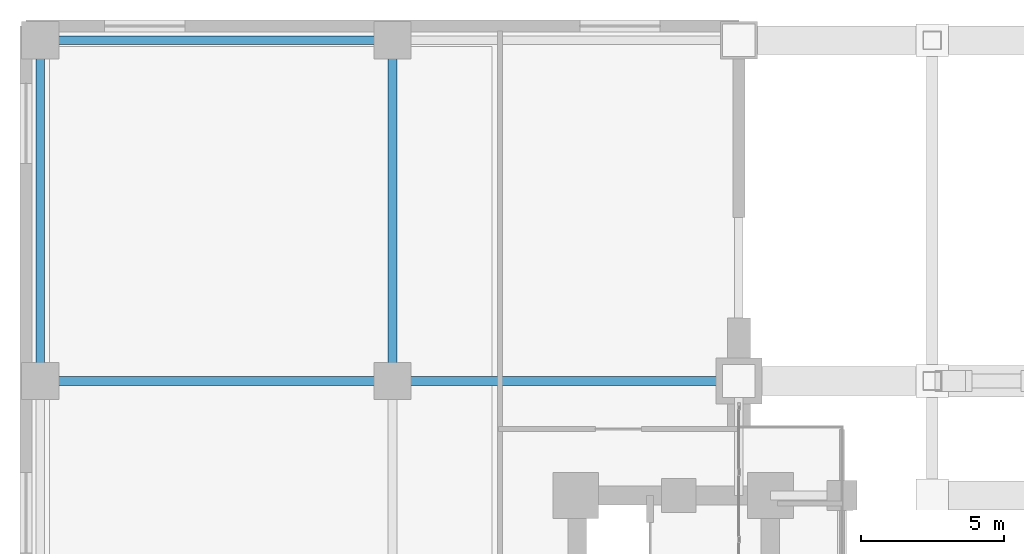
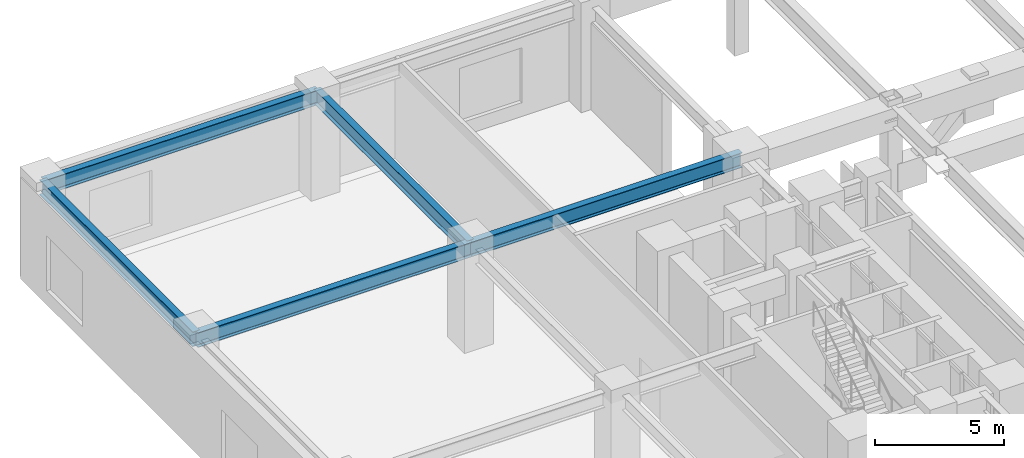
# One storey, part 9 of 26: 5 beams.
"""IFC4 building model written with IfcOpenShell, lengths in metres."""

from ifc_helpers import new_model, si_unit, direction, frame, origin, origin_2d, place, context, subcontext, project, spatial, i_section, extrude, material, material_profile, profile_set, type_object, element, save


model = new_model("IFC4")

# Units and contexts
model_context = context("Model", 3, precision=1e-05, world=origin(), true_north=direction((0.0, 1.0)))
body_context = subcontext(model_context, "Body", "Model", "MODEL_VIEW")
ifc_project = project(units=[si_unit("LENGTHUNIT", "METRE"), si_unit("AREAUNIT", "SQUARE_METRE"), si_unit("VOLUMEUNIT", "CUBIC_METRE"), si_unit("PLANEANGLEUNIT", "RADIAN"), si_unit("MASSUNIT", "GRAM", prefix="KILO")], contexts=[model_context])

# Site, building, storey
site_placement = place(None, origin())
site = spatial("IfcSite", under=ifc_project, at=site_placement, CompositionType="ELEMENT")
building_placement = place(site_placement, origin())
building = spatial("IfcBuilding", under=site, at=building_placement, Name="Voryun Gate Residences", CompositionType="ELEMENT")
storey_placement = place(building_placement, frame((0.0, 0.0, 15.60009765625)))
storey = spatial("IfcBuildingStorey", under=building, at=storey_placement, Name="L03", CompositionType="ELEMENT", Elevation=15.60009765625)

# Beams
ifc_material = material(Name="Steel SM355", Category="steel")
ifc_material_profile = material_profile(ifc_material, i_section(OverallWidth=0.300048828125, OverallDepth=0.699951171875, WebThickness=0.012939453125, FlangeThickness=0.02392578125, FilletRadius=0.01806640625, at=origin_2d()), Name="H-700x300x13x24")
ifc_profile_set = profile_set([ifc_material_profile], Name="Steel SM355")
beam_type = type_object("IfcBeamType", Name="BM_GIRD_700", PredefinedType="USERDEFINED", material=ifc_profile_set)
beam_1_placement = place(storey_placement, frame((-37.89990234375, 11.39990234375, 4.449951171875), z_axis=(1.0, 0.0, 0.0), x_axis=(0.0, 1.0, 0.0)))
element("IfcBeam", 1, at=beam_1_placement, inside=storey, type_object=beam_type, Name="BM-L03-PWX-+11.4-0", ObjectType="GIRDER", PredefinedType="USERDEFINED", context=body_context, shape_type="SweptSolid", body=[
    extrude(i_section(OverallWidth=0.300048828125, OverallDepth=0.699951171875, WebThickness=0.012939453125, FlangeThickness=0.02392578125, FilletRadius=0.01806640625, at=origin_2d()), origin(), (0.0, 0.0, 1.0), 12.2998046875),
])
beam_2_placement = place(storey_placement, frame((-25.60009765625, 11.39990234375, 4.449951171875), z_axis=(1.0, 0.0, 0.0), x_axis=(0.0, 1.0, 0.0)))
element("IfcBeam", 2, at=beam_2_placement, inside=storey, type_object=beam_type, Name="BM-L03-PWX-+11.4-1", ObjectType="GIRDER", PredefinedType="USERDEFINED", context=body_context, shape_type="SweptSolid", body=[
    extrude(i_section(OverallWidth=0.300048828125, OverallDepth=0.699951171875, WebThickness=0.012939453125, FlangeThickness=0.02392578125, FilletRadius=0.01806640625, at=origin_2d()), origin(), (0.0, 0.0, 1.0), 12.10009765625),
])
beam_3_placement = place(storey_placement, frame((-37.89990234375, 23.300048828125, 4.449951171875), z_axis=(1.0, 0.0, 0.0), x_axis=(0.0, 1.0, 0.0)))
element("IfcBeam", 3, at=beam_3_placement, inside=storey, type_object=beam_type, Name="BM-L03-PWX-+23.3-0", ObjectType="GIRDER", PredefinedType="USERDEFINED", context=body_context, shape_type="SweptSolid", body=[
    extrude(i_section(OverallWidth=0.300048828125, OverallDepth=0.699951171875, WebThickness=0.012939453125, FlangeThickness=0.02392578125, FilletRadius=0.01806640625, at=origin_2d()), origin(), (0.0, 0.0, 1.0), 12.2998046875),
])
for number, where, z_axis, x_axis, name in (
    (4, (-37.89990234375, 11.39990234375, 4.449951171875), (0.0, 1.0, 0.0), (-1.0, 0.0, 0.0), "BM-L03-PWY--37.9-3"),
    (5, (-25.60009765625, 11.39990234375, 4.449951171875), (0.0, 1.0, 0.0), (-1.0, 0.0, 0.0), "BM-L03-PWY--25.6-3"),
):
    element("IfcBeam", number, at=place(storey_placement, frame(where, z_axis=z_axis, x_axis=x_axis)), inside=storey, type_object=beam_type, Name=name, ObjectType="GIRDER", PredefinedType="USERDEFINED", context=body_context, shape_type="SweptSolid", body=[
        extrude(i_section(OverallWidth=0.300048828125, OverallDepth=0.699951171875, WebThickness=0.012939453125, FlangeThickness=0.02392578125, FilletRadius=0.01806640625, at=origin_2d()), origin(), (0.0, 0.0, 1.0), 11.900146484375),
    ])

save(model, "model.ifc")
